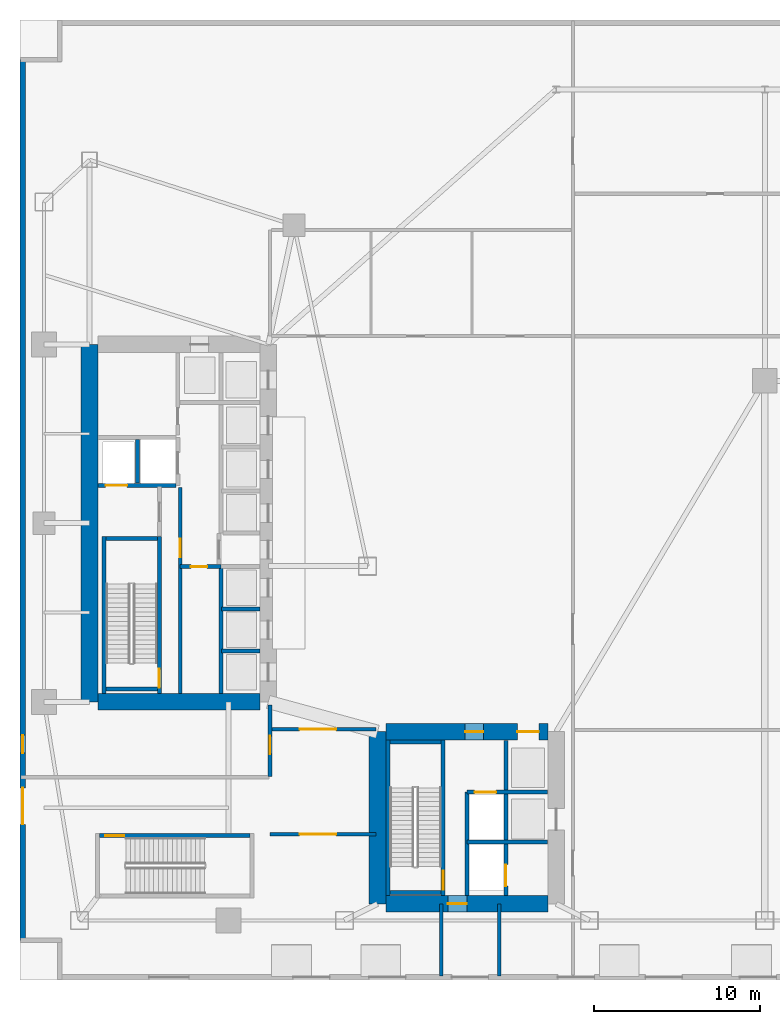
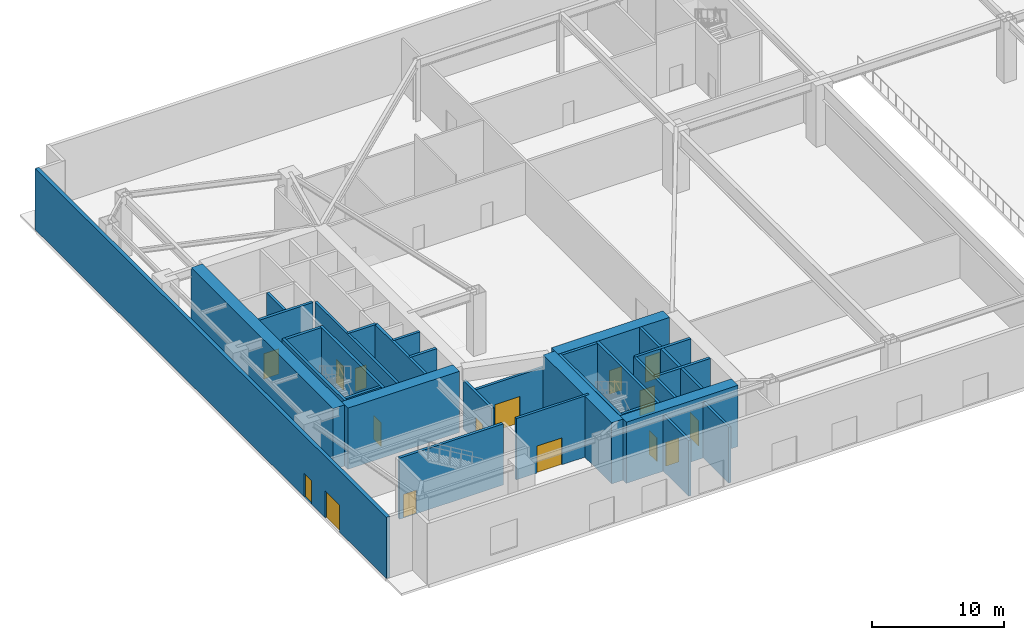
# One storey, part 12 of 20: 31 walls, 16 doors, 16 openings.
"""IFC4 building model written with IfcOpenShell, lengths in metres."""

from ifc_helpers import new_model, si_unit, direction, frame, frame_2d, origin, place, context, subcontext, project, spatial, rectangle, extrude, material, layer, layer_set, type_object, element, fill, save


model = new_model("IFC4")

# Units and contexts
model_context = context("Model", 3, precision=1e-05, world=origin(), true_north=direction((0.0, 1.0)))
body_context = subcontext(model_context, "Body", "Model", "MODEL_VIEW")
ifc_project = project(units=[si_unit("LENGTHUNIT", "METRE"), si_unit("AREAUNIT", "SQUARE_METRE"), si_unit("VOLUMEUNIT", "CUBIC_METRE"), si_unit("PLANEANGLEUNIT", "RADIAN"), si_unit("MASSUNIT", "GRAM", prefix="KILO")], contexts=[model_context])

# Site, building, storey
site_placement = place(None, origin())
site = spatial("IfcSite", under=ifc_project, at=site_placement, CompositionType="ELEMENT")
building_placement = place(site_placement, origin())
building = spatial("IfcBuilding", under=site, at=building_placement, Name="Calvorn Quay Hotel", CompositionType="ELEMENT")
storey_placement = place(building_placement, origin())
storey = spatial("IfcBuildingStorey", under=building, at=storey_placement, Name="L00", CompositionType="ELEMENT", Elevation=0.0)

# Walls
ifc_material_1 = material(Name="Concrete C60", Category="concrete")
ifc_layer_1 = layer(ifc_material_1, 1.0)
ifc_layer_set_1 = layer_set([ifc_layer_1], Name="WL-CORE-1000")
wall_type_1 = type_object("IfcWallType", Name="WL-CORE-1000", PredefinedType="SHEAR", material=ifc_layer_set_1)
wall_1_placement = place(storey_placement, frame((4.199951171875, 16.800048828125, 0.0), z_axis=(0.0, 0.0, 1.0), x_axis=(0.0, 1.0, 0.0)))
element("IfcWall", 1, at=wall_1_placement, inside=storey, type_object=wall_type_1, Name="West Core Shear Wall W (L00)", PredefinedType="SHEAR", context=body_context, shape_type="SweptSolid", body=[
    extrude(rectangle(XDim=21.599853515625, YDim=1.0, at=frame_2d((10.7998046875, 0.0))), origin(), (0.0, 0.0, 1.0), 5.679931640625),
])
wall_2_placement = place(storey_placement, frame((4.699951171875, 16.800048828125, 0.0), z_axis=(0.0, 0.0, 1.0), x_axis=(1.0, 0.0, 0.0)))
element("IfcWall", 2, at=wall_2_placement, inside=storey, type_object=wall_type_1, Name="West Core Shear Wall S (L00)", PredefinedType="SHEAR", context=body_context, shape_type="SweptSolid", body=[
    extrude(rectangle(XDim=9.800048828125, YDim=1.0, at=frame_2d((4.89990234375, 0.0))), origin(), (0.0, 0.0, 1.0), 5.679931640625),
])
wall_3_placement = place(storey_placement, frame((21.60009765625, 4.60009765625, 0.0), z_axis=(0.0, 0.0, 1.0), x_axis=(0.0, 1.0, 0.0)))
element("IfcWall", 3, at=wall_3_placement, inside=storey, type_object=wall_type_1, Name="East Core Shear Wall W (L00)", PredefinedType="SHEAR", context=body_context, shape_type="SweptSolid", body=[
    extrude(rectangle(XDim=10.39990234375, YDim=1.0, at=frame_2d((5.199951171875, 0.0))), origin(), (0.0, 0.0, 1.0), 5.679931640625),
])

# Wall, openings, doors
wall_4_placement = place(storey_placement, frame((22.10009765625, 15.0, 0.0), z_axis=(0.0, 0.0, 1.0), x_axis=(1.0, 0.0, 0.0)))
wall_4 = element("IfcWall", 4, at=wall_4_placement, inside=storey, type_object=wall_type_1, Name="East Core Shear Wall N (L00)", PredefinedType="SHEAR", context=body_context, shape_type="SweptSolid", body=[
    extrude(rectangle(XDim=9.7998046875, YDim=1.0, at=frame_2d((4.89990234375, 0.0))), origin(), (0.0, 0.0, 1.0), 5.679931640625),
])
opening_1_placement = place(wall_4_placement, frame((4.800048828125, 0.0, 0.0)))
opening_1 = element("IfcOpeningElement", 5, at=opening_1_placement, cuts=wall_4, Name="Opening D-L00-FLE", PredefinedType="OPENING", context=body_context, shape_type="SweptSolid", body=[
    extrude(rectangle(XDim=1.10009765625, YDim=2.199951171875, at=frame_2d((0.550048828125, 1.10009765625))), frame((0.0, 0.510009765625, 0.0), z_axis=(0.0, -1.0, 0.0), x_axis=(1.0, 0.0, 0.0)), (0.0, 0.0, 1.0), 1.02001953125),
])
opening_2_placement = place(wall_4_placement, frame((7.949951171875, 0.0, 0.0)))
opening_2 = element("IfcOpeningElement", 6, at=opening_2_placement, cuts=wall_4, Name="Opening LD-L00-OB1", PredefinedType="OPENING", context=body_context, shape_type="SweptSolid", body=[
    extrude(rectangle(XDim=1.300048828125, YDim=2.35009765625, at=frame_2d((0.64990234375, 1.175048828125))), frame((0.0, 0.510009765625, 0.0), z_axis=(0.0, -1.0, 0.0), x_axis=(1.0, 0.0, 0.0)), (0.0, 0.0, 1.0), 1.02001953125),
])
ifc_material_2 = material(Name="Smoke-Sealed Steel Class A Fire Door", Category="steel")
door_type_1 = type_object("IfcDoorType", Name="DR-FFLOBBY-1100", OperationType="NOTDEFINED", PredefinedType="DOOR", material=ifc_material_2)
door_1_placement = place(opening_1_placement, origin())
door_1 = element("IfcDoor", 7, at=door_1_placement, inside=storey, type_object=door_type_1, Name="East Firefighting Lobby Fire Door (L00)", OperationType="SINGLE_SWING_RIGHT", OverallHeight=2.199951171875, OverallWidth=1.10009765625, PredefinedType="DOOR", context=body_context, shape_type="SweptSolid", body=[
    extrude(rectangle(XDim=1.10009765625, YDim=2.199951171875, at=frame_2d((0.550048828125, 1.10009765625))), frame((0.0, 0.02490234375, 0.0), z_axis=(0.0, -1.0, 0.0), x_axis=(1.0, 0.0, 0.0)), (0.0, 0.0, 1.0), 0.050048828125),
])
fill(opening_1, door_1)
ifc_material_3 = material(Name="Champagne-Bronze Sliding Express Lift Landing Door")
door_type_2 = type_object("IfcDoorType", Name="DR-LIFT-SHUTTLE-1300", OperationType="NOTDEFINED", PredefinedType="DOOR", material=ifc_material_3)
door_2_placement = place(opening_2_placement, origin())
door_2 = element("IfcDoor", 8, at=door_2_placement, inside=storey, type_object=door_type_2, Name="Observation Shuttle PL-OB1 Landing Door (L00)", OperationType="DOUBLE_DOOR_SLIDING", OverallHeight=2.35009765625, OverallWidth=1.300048828125, PredefinedType="DOOR", context=body_context, shape_type="SweptSolid", body=[
    extrude(rectangle(XDim=1.300048828125, YDim=2.35009765625, at=frame_2d((0.64990234375, 1.175048828125))), frame((0.0, 0.02490234375, 0.0), z_axis=(0.0, -1.0, 0.0), x_axis=(1.0, 0.0, 0.0)), (0.0, 0.0, 1.0), 0.050048828125),
])
fill(opening_2, door_2)

# Wall, opening, door
wall_5_placement = place(storey_placement, frame((22.10009765625, 4.60009765625, 0.0), z_axis=(0.0, 0.0, 1.0), x_axis=(1.0, 0.0, 0.0)))
wall_5 = element("IfcWall", 9, at=wall_5_placement, inside=storey, type_object=wall_type_1, Name="East Core Shear Wall S (L00)", PredefinedType="SHEAR", context=body_context, shape_type="SweptSolid", body=[
    extrude(rectangle(XDim=9.7998046875, YDim=1.0, at=frame_2d((4.89990234375, 0.0))), origin(), (0.0, 0.0, 1.0), 5.679931640625),
])
opening_3_placement = place(wall_5_placement, frame((3.75, 0.0, 0.0)))
opening_3 = element("IfcOpeningElement", 10, at=opening_3_placement, cuts=wall_5, Name="Opening D-L00-STEX", PredefinedType="OPENING", context=body_context, shape_type="SweptSolid", body=[
    extrude(rectangle(XDim=1.14990234375, YDim=2.199951171875, at=frame_2d((0.574951171875, 1.10009765625))), frame((0.0, 0.510009765625, 0.0), z_axis=(0.0, -1.0, 0.0), x_axis=(1.0, 0.0, 0.0)), (0.0, 0.0, 1.0), 1.02001953125),
])
ifc_material_4 = material(Name="Galvanised Steel Class A Fire Door", Category="steel")
door_type_3 = type_object("IfcDoorType", Name="DR-STAIR-SMOKE-1150", OperationType="NOTDEFINED", PredefinedType="DOOR", material=ifc_material_4)
door_3_placement = place(opening_3_placement, origin())
door_3 = element("IfcDoor", 11, at=door_3_placement, inside=storey, type_object=door_type_3, Name="East Stair Ground Discharge Fire Door", OperationType="SINGLE_SWING_RIGHT", OverallHeight=2.199951171875, OverallWidth=1.14990234375, PredefinedType="DOOR", context=body_context, shape_type="SweptSolid", body=[
    extrude(rectangle(XDim=1.14990234375, YDim=2.199951171875, at=frame_2d((0.574951171875, 1.10009765625))), frame((0.0, 0.02490234375, 0.0), z_axis=(0.0, -1.0, 0.0), x_axis=(1.0, 0.0, 0.0)), (0.0, 0.0, 1.0), 0.050048828125),
])
fill(opening_3, door_3)

# Wall, openings, doors
ifc_material_5 = material(Name="Concrete C40", Category="concrete")
ifc_layer_2 = layer(ifc_material_5, 0.320068359375)
ifc_layer_set_2 = layer_set([ifc_layer_2], Name="WL-EXT-SPANDREL-320")
wall_type_2 = type_object("IfcWallType", Name="WL-EXT-SPANDREL-320", PredefinedType="SOLIDWALL", material=ifc_layer_set_2)
wall_6_placement = place(storey_placement, frame((0.159912109375, 2.300048828125, 0.0), z_axis=(0.0, 0.0, 1.0), x_axis=(0.0, 1.0, 0.0)))
wall_6 = element("IfcWall", 12, at=wall_6_placement, inside=storey, type_object=wall_type_2, Name="L00 West Fire-Lane Exterior Wall", PredefinedType="SOLIDWALL", context=body_context, shape_type="SweptSolid", body=[
    extrude(rectangle(XDim=53.39990234375, YDim=0.320068359375, at=frame_2d((26.699951171875, 0.0))), origin(), (0.0, 0.0, 1.0), 5.679931640625),
])
opening_4_placement = place(wall_6_placement, frame((7.10009765625, 0.0, 0.0)))
opening_4 = element("IfcOpeningElement", 13, at=opening_4_placement, cuts=wall_6, Name="Opening EX-05", PredefinedType="OPENING", context=body_context, shape_type="SweptSolid", body=[
    extrude(rectangle(XDim=2.199951171875, YDim=2.5, at=frame_2d((1.10009765625, 1.25))), frame((0.0, 0.169921875, 0.0), z_axis=(0.0, -1.0, 0.0), x_axis=(1.0, 0.0, 0.0)), (0.0, 0.0, 1.0), 0.340087890625),
])
opening_5_placement = place(wall_6_placement, frame((11.39990234375, 0.0, 0.0)))
opening_5 = element("IfcOpeningElement", 14, at=opening_5_placement, cuts=wall_6, Name="Opening EX-FCC", PredefinedType="OPENING", context=body_context, shape_type="SweptSolid", body=[
    extrude(rectangle(XDim=1.10009765625, YDim=2.199951171875, at=frame_2d((0.550048828125, 1.10009765625))), frame((0.0, 0.169921875, 0.0), z_axis=(0.0, -1.0, 0.0), x_axis=(1.0, 0.0, 0.0)), (0.0, 0.0, 1.0), 0.340087890625),
])
door_4_placement = place(opening_5_placement, origin())
door_4 = element("IfcDoor", 15, at=door_4_placement, inside=storey, type_object=door_type_1, Name="Fire Command Centre Direct Exterior Door", OperationType="SINGLE_SWING_LEFT", OverallHeight=2.199951171875, OverallWidth=1.10009765625, PredefinedType="DOOR", context=body_context, shape_type="SweptSolid", body=[
    extrude(rectangle(XDim=1.10009765625, YDim=2.199951171875, at=frame_2d((0.550048828125, 1.10009765625))), frame((0.0, 0.02490234375, 0.0), z_axis=(0.0, -1.0, 0.0), x_axis=(1.0, 0.0, 0.0)), (0.0, 0.0, 1.0), 0.050048828125),
])
fill(opening_5, door_4)
ifc_material_6 = material(Name="Thermally Broken Bronze-Anodised Aluminium Glazed Door", Category="aluminium")
door_type_4 = type_object("IfcDoorType", Name="DR-MAIN-EXIT-2200", OperationType="NOTDEFINED", PredefinedType="DOOR", material=ifc_material_6)
door_5_placement = place(opening_4_placement, origin())
door_5 = element("IfcDoor", 16, at=door_5_placement, inside=storey, type_object=door_type_4, Name="West Stair Final Exit Door EX-05", OperationType="DOUBLE_DOOR_SINGLE_SWING", OverallHeight=2.5, OverallWidth=2.199951171875, PredefinedType="DOOR", context=body_context, shape_type="SweptSolid", body=[
    extrude(rectangle(XDim=2.199951171875, YDim=2.5, at=frame_2d((1.10009765625, 1.25))), frame((0.0, 0.02490234375, 0.0), z_axis=(0.0, -1.0, 0.0), x_axis=(1.0, 0.0, 0.0)), (0.0, 0.0, 1.0), 0.050048828125),
])
fill(opening_4, door_5)

# Wall, opening, door
ifc_material_7 = material(Name="Autoclaved Aerated Masonry Block", Category="masonry")
ifc_layer_3 = layer(ifc_material_7, 0.219970703125)
ifc_layer_set_3 = layer_set([ifc_layer_3], Name="WL-LOBBY-FIRE-220")
wall_type_3 = type_object("IfcWallType", Name="WL-LOBBY-FIRE-220", PredefinedType="SOLIDWALL", material=ifc_layer_set_3)
wall_7_placement = place(storey_placement, frame((9.679931640625, 17.320068359375, 0.0), z_axis=(0.0, 0.0, 1.0), x_axis=(0.0, 1.0, 0.0)))
wall_7 = element("IfcWall", 17, at=wall_7_placement, inside=storey, type_object=wall_type_3, Name="Partition Wall L00-WL-CWW-STW-HALL-E", PredefinedType="SOLIDWALL", context=body_context, shape_type="SweptSolid", body=[
    extrude(rectangle(XDim=12.43994140625, YDim=0.219970703125, at=frame_2d((6.219970703125, 0.0))), origin(), (0.0, 0.0, 1.0), 5.679931640625),
])
opening_6_placement = place(wall_7_placement, frame((8.22998046875, 0.0, 0.0)))
opening_6 = element("IfcOpeningElement", 18, at=opening_6_placement, cuts=wall_7, Name="Opening D-L00-FLP", PredefinedType="OPENING", context=body_context, shape_type="SweptSolid", body=[
    extrude(rectangle(XDim=1.10009765625, YDim=2.199951171875, at=frame_2d((0.550048828125, 1.10009765625))), frame((0.0, 0.119873046875, 0.0), z_axis=(0.0, -1.0, 0.0), x_axis=(1.0, 0.0, 0.0)), (0.0, 0.0, 1.0), 0.239990234375),
])
door_6_placement = place(opening_6_placement, origin())
door_6 = element("IfcDoor", 19, at=door_6_placement, inside=storey, type_object=door_type_1, Name="West Core Stair Vestibule Fire Door", OperationType="SINGLE_SWING_RIGHT", OverallHeight=2.199951171875, OverallWidth=1.10009765625, PredefinedType="DOOR", context=body_context, shape_type="SweptSolid", body=[
    extrude(rectangle(XDim=1.10009765625, YDim=2.199951171875, at=frame_2d((0.550048828125, 1.10009765625))), frame((0.0, 0.02490234375, 0.0), z_axis=(0.0, -1.0, 0.0), x_axis=(1.0, 0.0, 0.0)), (0.0, 0.0, 1.0), 0.050048828125),
])
fill(opening_6, door_6)

wall_8_placement = place(storey_placement, frame((15.10009765625, 15.14990234375, 0.0), z_axis=(0.0, 0.0, 1.0), x_axis=(1.0, 0.0, 0.0)))
wall_8 = element("IfcWall", 20, at=wall_8_placement, inside=storey, type_object=wall_type_3, Name="Partition Wall L00-WL-L00-SF-N", PredefinedType="SOLIDWALL", context=body_context, shape_type="SweptSolid", body=[
    extrude(rectangle(XDim=6.39990234375, YDim=0.219970703125, at=frame_2d((3.199951171875, 0.0))), origin(), (0.0, 0.0, 1.0), 4.47998046875),
])
opening_7_placement = place(wall_8_placement, frame((1.800048828125, 0.0, 0.0)))
opening_7 = element("IfcOpeningElement", 21, at=opening_7_placement, cuts=wall_8, Name="Opening D-L00-SX1", PredefinedType="OPENING", context=body_context, shape_type="SweptSolid", body=[
    extrude(rectangle(XDim=2.199951171875, YDim=2.5, at=frame_2d((1.10009765625, 1.25))), frame((0.0, 0.119873046875, 0.0), z_axis=(0.0, -1.0, 0.0), x_axis=(1.0, 0.0, 0.0)), (0.0, 0.0, 1.0), 0.239990234375),
])
door_7_placement = place(opening_7_placement, origin())
door_7 = element("IfcDoor", 22, at=door_7_placement, inside=storey, type_object=door_type_4, Name="South Exit Vestibule Fire Door 1", OperationType="DOUBLE_DOOR_SINGLE_SWING", OverallHeight=2.5, OverallWidth=2.199951171875, PredefinedType="DOOR", context=body_context, shape_type="SweptSolid", body=[
    extrude(rectangle(XDim=2.199951171875, YDim=2.5, at=frame_2d((1.10009765625, 1.25))), frame((0.0, 0.02490234375, 0.0), z_axis=(0.0, -1.0, 0.0), x_axis=(1.0, 0.0, 0.0)), (0.0, 0.0, 1.0), 0.050048828125),
])
fill(opening_7, door_7)

wall_9_placement = place(storey_placement, frame((15.10009765625, 8.800048828125, 0.0), z_axis=(0.0, 0.0, 1.0), x_axis=(1.0, 0.0, 0.0)))
wall_9 = element("IfcWall", 23, at=wall_9_placement, inside=storey, type_object=wall_type_3, Name="Partition Wall L00-WL-L00-SF-M", PredefinedType="SOLIDWALL", context=body_context, shape_type="SweptSolid", body=[
    extrude(rectangle(XDim=6.39990234375, YDim=0.219970703125, at=frame_2d((3.199951171875, 0.0))), origin(), (0.0, 0.0, 1.0), 5.679931640625),
])
opening_8_placement = place(wall_9_placement, frame((1.800048828125, 0.0, 0.0)))
opening_8 = element("IfcOpeningElement", 24, at=opening_8_placement, cuts=wall_9, Name="Opening D-L00-SX2", PredefinedType="OPENING", context=body_context, shape_type="SweptSolid", body=[
    extrude(rectangle(XDim=2.199951171875, YDim=2.5, at=frame_2d((1.10009765625, 1.25))), frame((0.0, 0.119873046875, 0.0), z_axis=(0.0, -1.0, 0.0), x_axis=(1.0, 0.0, 0.0)), (0.0, 0.0, 1.0), 0.239990234375),
])
door_8_placement = place(opening_8_placement, origin())
door_8 = element("IfcDoor", 25, at=door_8_placement, inside=storey, type_object=door_type_4, Name="South Waterfront Exit Vestibule Fire Door", OperationType="DOUBLE_DOOR_SINGLE_SWING", OverallHeight=2.5, OverallWidth=2.199951171875, PredefinedType="DOOR", context=body_context, shape_type="SweptSolid", body=[
    extrude(rectangle(XDim=2.199951171875, YDim=2.5, at=frame_2d((1.10009765625, 1.25))), frame((0.0, 0.02490234375, 0.0), z_axis=(0.0, -1.0, 0.0), x_axis=(1.0, 0.0, 0.0)), (0.0, 0.0, 1.0), 0.050048828125),
])
fill(opening_8, door_8)

# Walls
for number, where, z_axis, x_axis, name in (
    (26, (25.449951171875, 0.25, 0.0), (0.0, 0.0, 1.0), (0.0, 1.0, 0.0), "Partition Wall L00-WL-L00-STE-PW"),
    (27, (28.949951171875, 0.25, 0.0), (0.0, 0.0, 1.0), (0.0, 1.0, 0.0), "Partition Wall L00-WL-L00-STE-PE"),
):
    element("IfcWall", number, at=place(storey_placement, frame(where, z_axis=z_axis, x_axis=x_axis)), inside=storey, type_object=wall_type_3, Name=name, PredefinedType="SOLIDWALL", context=body_context, shape_type="SweptSolid", body=[
        extrude(rectangle(XDim=4.35009765625, YDim=0.219970703125, at=frame_2d((2.175048828125, 0.0))), origin(), (0.0, 0.0, 1.0), 5.179931640625),
    ])

# Wall, opening, door
wall_10_placement = place(storey_placement, frame((15.10009765625, 12.300048828125, 0.0), z_axis=(0.0, 0.0, 1.0), x_axis=(0.0, 1.0, 0.0)))
wall_10 = element("IfcWall", 28, at=wall_10_placement, inside=storey, type_object=wall_type_3, Name="Partition Wall L00-WL-L00-FCC-E", PredefinedType="SOLIDWALL", context=body_context, shape_type="SweptSolid", body=[
    extrude(rectangle(XDim=4.300048828125, YDim=0.219970703125, at=frame_2d((2.14990234375, 0.0))), origin(), (0.0, 0.0, 1.0), 4.47998046875),
])
opening_9_placement = place(wall_10_placement, frame((1.35009765625, 0.0, 0.0)))
opening_9 = element("IfcOpeningElement", 29, at=opening_9_placement, cuts=wall_10, Name="Opening D-L00-FCC", PredefinedType="OPENING", context=body_context, shape_type="SweptSolid", body=[
    extrude(rectangle(XDim=1.10009765625, YDim=2.199951171875, at=frame_2d((0.550048828125, 1.10009765625))), frame((0.0, 0.119873046875, 0.0), z_axis=(0.0, -1.0, 0.0), x_axis=(1.0, 0.0, 0.0)), (0.0, 0.0, 1.0), 0.239990234375),
])
door_9_placement = place(opening_9_placement, origin())
door_9 = element("IfcDoor", 30, at=door_9_placement, inside=storey, type_object=door_type_1, Name="Fire Command Centre Door", OperationType="SINGLE_SWING_LEFT", OverallHeight=2.199951171875, OverallWidth=1.10009765625, PredefinedType="DOOR", context=body_context, shape_type="SweptSolid", body=[
    extrude(rectangle(XDim=1.10009765625, YDim=2.199951171875, at=frame_2d((0.550048828125, 1.10009765625))), frame((0.0, 0.02490234375, 0.0), z_axis=(0.0, -1.0, 0.0), x_axis=(1.0, 0.0, 0.0)), (0.0, 0.0, 1.0), 0.050048828125),
])
fill(opening_9, door_9)

# Wall
ifc_material_8 = material(Name="Concrete C40", Category="concrete")
ifc_layer_4 = layer(ifc_material_8, 0.239990234375)
ifc_layer_set_4 = layer_set([ifc_layer_4], Name="WL-SHAFT-240")
wall_type_4 = type_object("IfcWallType", Name="WL-SHAFT-240", PredefinedType="SOLIDWALL", material=ifc_layer_set_4)
wall_11_placement = place(storey_placement, frame((5.080078125, 17.300048828125, 0.0), z_axis=(0.0, 0.0, 1.0), x_axis=(0.0, 1.0, 0.0)))
element("IfcWall", 31, at=wall_11_placement, inside=storey, type_object=wall_type_4, Name="Stair STW Shaft Wall W (L00)", PredefinedType="SOLIDWALL", context=body_context, shape_type="SweptSolid", body=[
    extrude(rectangle(XDim=9.489990234375, YDim=0.239990234375, at=frame_2d((4.7451171875, 0.0))), origin(), (0.0, 0.0, 1.0), 5.679931640625),
])

# Wall, opening, door
wall_12_placement = place(storey_placement, frame((8.419921875, 17.300048828125, 0.0), z_axis=(0.0, 0.0, 1.0), x_axis=(0.0, 1.0, 0.0)))
wall_12 = element("IfcWall", 32, at=wall_12_placement, inside=storey, type_object=wall_type_4, Name="Stair STW Shaft Wall E (L00)", PredefinedType="SOLIDWALL", context=body_context, shape_type="SweptSolid", body=[
    extrude(rectangle(XDim=9.489990234375, YDim=0.239990234375, at=frame_2d((4.7451171875, 0.0))), origin(), (0.0, 0.0, 1.0), 5.679931640625),
])
opening_10_placement = place(wall_12_placement, frame((0.35009765625, 0.0, 0.0)))
opening_10 = element("IfcOpeningElement", 33, at=opening_10_placement, cuts=wall_12, Name="Opening D-L00-STW", PredefinedType="OPENING", context=body_context, shape_type="SweptSolid", body=[
    extrude(rectangle(XDim=1.14990234375, YDim=2.199951171875, at=frame_2d((0.574951171875, 1.10009765625))), frame((0.0, 0.1298828125, 0.0), z_axis=(0.0, -1.0, 0.0), x_axis=(1.0, 0.0, 0.0)), (0.0, 0.0, 1.0), 0.260009765625),
])
door_10_placement = place(opening_10_placement, origin())
door_10 = element("IfcDoor", 34, at=door_10_placement, inside=storey, type_object=door_type_3, Name="Stair ST-W Fire Door (L00)", OperationType="SINGLE_SWING_LEFT", OverallHeight=2.199951171875, OverallWidth=1.14990234375, PredefinedType="DOOR", context=body_context, shape_type="SweptSolid", body=[
    extrude(rectangle(XDim=1.14990234375, YDim=2.199951171875, at=frame_2d((0.574951171875, 1.10009765625))), frame((0.0, 0.02490234375, 0.0), z_axis=(0.0, -1.0, 0.0), x_axis=(1.0, 0.0, 0.0)), (0.0, 0.0, 1.0), 0.050048828125),
])
fill(opening_10, door_10)

# Walls
for number, where, z_axis, x_axis, name in (
    (35, (5.199951171875, 17.580078125, 0.0), (0.0, 0.0, 1.0), (1.0, 0.0, 0.0), "Stair STW Shaft Wall S (L00)"),
    (36, (5.199951171875, 26.669921875, 0.0), (0.0, 0.0, 1.0), (1.0, 0.0, 0.0), "Stair STW Shaft Wall N (L00)"),
):
    element("IfcWall", number, at=place(storey_placement, frame(where, z_axis=z_axis, x_axis=x_axis)), inside=storey, type_object=wall_type_4, Name=name, PredefinedType="SOLIDWALL", context=body_context, shape_type="SweptSolid", body=[
        extrude(rectangle(XDim=3.10009765625, YDim=0.239990234375, at=frame_2d((1.550048828125, 0.0))), origin(), (0.0, 0.0, 1.0), 5.679931640625),
    ])
wall_13_placement = place(storey_placement, frame((22.22998046875, 5.10009765625, 0.0), z_axis=(0.0, 0.0, 1.0), x_axis=(0.0, 1.0, 0.0)))
element("IfcWall", 37, at=wall_13_placement, inside=storey, type_object=wall_type_4, Name="Stair STE Shaft Wall W (L00)", PredefinedType="SOLIDWALL", context=body_context, shape_type="SweptSolid", body=[
    extrude(rectangle(XDim=9.389892578125, YDim=0.239990234375, at=frame_2d((4.69482421875, 0.0))), origin(), (0.0, 0.0, 1.0), 5.679931640625),
])

# Wall, opening, door
wall_14_placement = place(storey_placement, frame((25.570068359375, 5.10009765625, 0.0), z_axis=(0.0, 0.0, 1.0), x_axis=(0.0, 1.0, 0.0)))
wall_14 = element("IfcWall", 38, at=wall_14_placement, inside=storey, type_object=wall_type_4, Name="Stair STE Shaft Wall E (L00)", PredefinedType="SOLIDWALL", context=body_context, shape_type="SweptSolid", body=[
    extrude(rectangle(XDim=9.389892578125, YDim=0.239990234375, at=frame_2d((4.69482421875, 0.0))), origin(), (0.0, 0.0, 1.0), 5.679931640625),
])
opening_11_placement = place(wall_14_placement, frame((0.35009765625, 0.0, 0.0)))
opening_11 = element("IfcOpeningElement", 39, at=opening_11_placement, cuts=wall_14, Name="Opening D-L00-STE", PredefinedType="OPENING", context=body_context, shape_type="SweptSolid", body=[
    extrude(rectangle(XDim=1.14990234375, YDim=2.199951171875, at=frame_2d((0.574951171875, 1.10009765625))), frame((0.0, 0.1298828125, 0.0), z_axis=(0.0, -1.0, 0.0), x_axis=(1.0, 0.0, 0.0)), (0.0, 0.0, 1.0), 0.260009765625),
])
door_11_placement = place(opening_11_placement, origin())
door_11 = element("IfcDoor", 40, at=door_11_placement, inside=storey, type_object=door_type_3, Name="Stair ST-E Fire Door (L00)", OperationType="SINGLE_SWING_RIGHT", OverallHeight=2.199951171875, OverallWidth=1.14990234375, PredefinedType="DOOR", context=body_context, shape_type="SweptSolid", body=[
    extrude(rectangle(XDim=1.14990234375, YDim=2.199951171875, at=frame_2d((0.574951171875, 1.10009765625))), frame((0.0, 0.02490234375, 0.0), z_axis=(0.0, -1.0, 0.0), x_axis=(1.0, 0.0, 0.0)), (0.0, 0.0, 1.0), 0.050048828125),
])
fill(opening_11, door_11)

# Walls
for number, where, z_axis, x_axis, name in (
    (41, (22.35009765625, 5.280029296875, 0.0), (0.0, 0.0, 1.0), (1.0, 0.0, 0.0), "Stair STE Shaft Wall S (L00)"),
    (42, (22.35009765625, 14.3701171875, 0.0), (0.0, 0.0, 1.0), (1.0, 0.0, 0.0), "Stair STE Shaft Wall N (L00)"),
):
    element("IfcWall", number, at=place(storey_placement, frame(where, z_axis=z_axis, x_axis=x_axis)), inside=storey, type_object=wall_type_4, Name=name, PredefinedType="SOLIDWALL", context=body_context, shape_type="SweptSolid", body=[
        extrude(rectangle(XDim=3.099853515625, YDim=0.239990234375, at=frame_2d((1.5498046875, 0.0))), origin(), (0.0, 0.0, 1.0), 5.679931640625),
    ])

# Wall, opening, door
wall_15_placement = place(storey_placement, frame((4.800048828125, 8.719970703125, 0.0), z_axis=(0.0, 0.0, 1.0), x_axis=(1.0, 0.0, 0.0)))
wall_15 = element("IfcWall", 43, at=wall_15_placement, inside=storey, type_object=wall_type_4, Name="Stair STP2 Shaft Wall N (L00)", PredefinedType="SOLIDWALL", context=body_context, shape_type="SweptSolid", body=[
    extrude(rectangle(XDim=9.099853515625, YDim=0.239990234375, at=frame_2d((4.5498046875, 0.0))), origin(), (0.0, 0.0, 1.0), 5.679931640625),
])
opening_12_placement = place(wall_15_placement, frame((0.35009765625, 0.0, 0.0)))
opening_12 = element("IfcOpeningElement", 44, at=opening_12_placement, cuts=wall_15, Name="Opening D-L00-STP2", PredefinedType="OPENING", context=body_context, shape_type="SweptSolid", body=[
    extrude(rectangle(XDim=1.14990234375, YDim=2.199951171875, at=frame_2d((0.574951171875, 1.10009765625))), frame((0.0, 0.1298828125, 0.0), z_axis=(0.0, -1.0, 0.0), x_axis=(1.0, 0.0, 0.0)), (0.0, 0.0, 1.0), 0.260009765625),
])
door_12_placement = place(opening_12_placement, origin())
door_12 = element("IfcDoor", 45, at=door_12_placement, inside=storey, type_object=door_type_3, Name="Podium Stair ST-P2 Fire Door (L00)", OperationType="SINGLE_SWING_RIGHT", OverallHeight=2.199951171875, OverallWidth=1.14990234375, PredefinedType="DOOR", context=body_context, shape_type="SweptSolid", body=[
    extrude(rectangle(XDim=1.14990234375, YDim=2.199951171875, at=frame_2d((0.574951171875, 1.10009765625))), frame((0.0, 0.02490234375, 0.0), z_axis=(0.0, -1.0, 0.0), x_axis=(1.0, 0.0, 0.0)), (0.0, 0.0, 1.0), 0.050048828125),
])
fill(opening_12, door_12)

# Walls
for number, where, z_axis, x_axis, name in (
    (46, (12.179931640625, 19.875, 0.0), (0.0, 0.0, 1.0), (1.0, 0.0, 0.0), "Lift Hoistway Divider Wall PLL12 (L00)"),
    (47, (12.179931640625, 22.425048828125, 0.0), (0.0, 0.0, 1.0), (1.0, 0.0, 0.0), "Lift Hoistway Divider Wall PLL23 (L00)"),
):
    element("IfcWall", number, at=place(storey_placement, frame(where, z_axis=z_axis, x_axis=x_axis)), inside=storey, type_object=wall_type_4, Name=name, PredefinedType="SOLIDWALL", context=body_context, shape_type="SweptSolid", body=[
        extrude(rectangle(XDim=2.320068359375, YDim=0.239990234375, at=frame_2d((1.16015625, 0.0))), origin(), (0.0, 0.0, 1.0), 5.679931640625),
    ])

# Wall, opening, door
wall_16_placement = place(storey_placement, frame((4.719970703125, 29.8798828125, 0.0), z_axis=(0.0, 0.0, 1.0), x_axis=(1.0, 0.0, 0.0)))
wall_16 = element("IfcWall", 48, at=wall_16_placement, inside=storey, type_object=wall_type_4, Name="Partition Wall L00-WL-CWW-FLW-S", PredefinedType="SOLIDWALL", context=body_context, shape_type="SweptSolid", body=[
    extrude(rectangle(XDim=4.699951171875, YDim=0.239990234375, at=frame_2d((2.35009765625, 0.0))), origin(), (0.0, 0.0, 1.0), 5.679931640625),
])
opening_13_placement = place(wall_16_placement, frame((0.449951171875, 0.0, 0.0)))
opening_13 = element("IfcOpeningElement", 49, at=opening_13_placement, cuts=wall_16, Name="Opening LD-L00-FLW1", PredefinedType="OPENING", context=body_context, shape_type="SweptSolid", body=[
    extrude(rectangle(XDim=1.300048828125, YDim=2.35009765625, at=frame_2d((0.64990234375, 1.175048828125))), frame((0.0, 0.1298828125, 0.0), z_axis=(0.0, -1.0, 0.0), x_axis=(1.0, 0.0, 0.0)), (0.0, 0.0, 1.0), 0.260009765625),
])
door_13_placement = place(opening_13_placement, origin())
door_13 = element("IfcDoor", 50, at=door_13_placement, inside=storey, type_object=door_type_2, Name="Firefighting Lift FL-W1 Landing Door (L00)", OperationType="DOUBLE_DOOR_SLIDING", OverallHeight=2.35009765625, OverallWidth=1.300048828125, PredefinedType="DOOR", context=body_context, shape_type="SweptSolid", body=[
    extrude(rectangle(XDim=1.300048828125, YDim=2.35009765625, at=frame_2d((0.64990234375, 1.175048828125))), frame((0.0, 0.02490234375, 0.0), z_axis=(0.0, -1.0, 0.0), x_axis=(1.0, 0.0, 0.0)), (0.0, 0.0, 1.0), 0.050048828125),
])
fill(opening_13, door_13)

# Walls
wall_17_placement = place(storey_placement, frame((7.10009765625, 30.02001953125, 0.0), z_axis=(0.0, 0.0, 1.0), x_axis=(0.0, 1.0, 0.0)))
element("IfcWall", 51, at=wall_17_placement, inside=storey, type_object=wall_type_4, Name="Partition Wall L00-WL-CWW-FLW-DIV", PredefinedType="SOLIDWALL", context=body_context, shape_type="SweptSolid", body=[
    extrude(rectangle(XDim=2.6298828125, YDim=0.239990234375, at=frame_2d((1.31494140625, 0.0))), origin(), (0.0, 0.0, 1.0), 5.679931640625),
])
wall_18_placement = place(storey_placement, frame((12.14990234375, 17.320068359375, 0.0), z_axis=(0.0, 0.0, 1.0), x_axis=(0.0, 1.0, 0.0)))
element("IfcWall", 52, at=wall_18_placement, inside=storey, type_object=wall_type_4, Name="Partition Wall L00-WL-CWW-PLL-W", PredefinedType="SOLIDWALL", context=body_context, shape_type="SweptSolid", body=[
    extrude(rectangle(XDim=7.64990234375, YDim=0.239990234375, at=frame_2d((3.824951171875, 0.0))), origin(), (0.0, 0.0, 1.0), 5.679931640625),
])

# Wall, opening, door
wall_19_placement = place(storey_placement, frame((9.679931640625, 24.969970703125, 0.0), z_axis=(0.0, 0.0, 1.0), x_axis=(1.0, 0.0, 0.0)))
wall_19 = element("IfcWall", 53, at=wall_19_placement, inside=storey, type_object=wall_type_4, Name="Partition Wall L00-WL-CWW-SER-N", PredefinedType="SOLIDWALL", context=body_context, shape_type="SweptSolid", body=[
    extrude(rectangle(XDim=2.469970703125, YDim=0.239990234375, at=frame_2d((1.23486328125, 0.0))), origin(), (0.0, 0.0, 1.0), 5.679931640625),
])
opening_14_placement = place(wall_19_placement, frame((0.64990234375, 0.0, 0.0)))
opening_14 = element("IfcOpeningElement", 54, at=opening_14_placement, cuts=wall_19, Name="Opening D-L00-CSR", PredefinedType="OPENING", context=body_context, shape_type="SweptSolid", body=[
    extrude(rectangle(XDim=0.97998046875, YDim=2.14990234375, at=frame_2d((0.489990234375, 1.074951171875))), frame((0.0, 0.1298828125, 0.0), z_axis=(0.0, -1.0, 0.0), x_axis=(1.0, 0.0, 0.0)), (0.0, 0.0, 1.0), 0.260009765625),
])
ifc_material_9 = material(Name="Painted Steel Housekeeping/Riser Fire Door", Category="steel")
door_type_5 = type_object("IfcDoorType", Name="DR-SERVICE-980", OperationType="NOTDEFINED", PredefinedType="DOOR", material=ifc_material_9)
door_14_placement = place(opening_14_placement, origin())
door_14 = element("IfcDoor", 55, at=door_14_placement, inside=storey, type_object=door_type_5, Name="Core Service Closet Door (L00)", OperationType="SINGLE_SWING_LEFT", OverallHeight=2.14990234375, OverallWidth=0.97998046875, PredefinedType="DOOR", context=body_context, shape_type="SweptSolid", body=[
    extrude(rectangle(XDim=0.97998046875, YDim=2.14990234375, at=frame_2d((0.489990234375, 1.074951171875))), frame((0.0, 0.02490234375, 0.0), z_axis=(0.0, -1.0, 0.0), x_axis=(1.0, 0.0, 0.0)), (0.0, 0.0, 1.0), 0.050048828125),
])
fill(opening_14, door_14)

# Wall
wall_20_placement = place(storey_placement, frame((27.02001953125, 5.1201171875, 0.0), z_axis=(0.0, 0.0, 1.0), x_axis=(0.0, 1.0, 0.0)))
element("IfcWall", 56, at=wall_20_placement, inside=storey, type_object=wall_type_4, Name="Partition Wall L00-WL-CWE-SH-W", PredefinedType="SOLIDWALL", context=body_context, shape_type="SweptSolid", body=[
    extrude(rectangle(XDim=6.22998046875, YDim=0.239990234375, at=frame_2d((3.114990234375, 0.0))), origin(), (0.0, 0.0, 1.0), 5.679931640625),
])

# Wall, opening, door
wall_21_placement = place(storey_placement, frame((27.02001953125, 11.35009765625, 0.0), z_axis=(0.0, 0.0, 1.0), x_axis=(1.0, 0.0, 0.0)))
wall_21 = element("IfcWall", 57, at=wall_21_placement, inside=storey, type_object=wall_type_4, Name="Partition Wall L00-WL-CWE-FFL-S", PredefinedType="SOLIDWALL", context=body_context, shape_type="SweptSolid", body=[
    extrude(rectangle(XDim=4.85986328125, YDim=0.239990234375, at=frame_2d((2.429931640625, 0.0))), origin(), (0.0, 0.0, 1.0), 5.679931640625),
])
opening_15_placement = place(wall_21_placement, frame((0.449951171875, 0.0, 0.0)))
opening_15 = element("IfcOpeningElement", 58, at=opening_15_placement, cuts=wall_21, Name="Opening LD-L00-FLE1", PredefinedType="OPENING", context=body_context, shape_type="SweptSolid", body=[
    extrude(rectangle(XDim=1.300048828125, YDim=2.35009765625, at=frame_2d((0.64990234375, 1.175048828125))), frame((0.0, 0.1298828125, 0.0), z_axis=(0.0, -1.0, 0.0), x_axis=(1.0, 0.0, 0.0)), (0.0, 0.0, 1.0), 0.260009765625),
])
door_15_placement = place(opening_15_placement, origin())
door_15 = element("IfcDoor", 59, at=door_15_placement, inside=storey, type_object=door_type_2, Name="Firefighting Lift FL-E1 Landing Door (L00)", OperationType="DOUBLE_DOOR_SLIDING", OverallHeight=2.35009765625, OverallWidth=1.300048828125, PredefinedType="DOOR", context=body_context, shape_type="SweptSolid", body=[
    extrude(rectangle(XDim=1.300048828125, YDim=2.35009765625, at=frame_2d((0.64990234375, 1.175048828125))), frame((0.0, 0.02490234375, 0.0), z_axis=(0.0, -1.0, 0.0), x_axis=(1.0, 0.0, 0.0)), (0.0, 0.0, 1.0), 0.050048828125),
])
fill(opening_15, door_15)

# Wall
wall_22_placement = place(storey_placement, frame((27.02001953125, 8.35009765625, 0.0), z_axis=(0.0, 0.0, 1.0), x_axis=(1.0, 0.0, 0.0)))
element("IfcWall", 60, at=wall_22_placement, inside=storey, type_object=wall_type_4, Name="Partition Wall L00-WL-CWE-SL-N", PredefinedType="SOLIDWALL", context=body_context, shape_type="SweptSolid", body=[
    extrude(rectangle(XDim=4.85986328125, YDim=0.239990234375, at=frame_2d((2.429931640625, 0.0))), origin(), (0.0, 0.0, 1.0), 5.679931640625),
])

# Wall, opening, door
wall_23_placement = place(storey_placement, frame((29.35009765625, 5.1201171875, 0.0), z_axis=(0.0, 0.0, 1.0), x_axis=(0.0, 1.0, 0.0)))
wall_23 = element("IfcWall", 61, at=wall_23_placement, inside=storey, type_object=wall_type_4, Name="Partition Wall L00-WL-CWE-OB-W", PredefinedType="SOLIDWALL", context=body_context, shape_type="SweptSolid", body=[
    extrude(rectangle(XDim=9.35986328125, YDim=0.239990234375, at=frame_2d((4.679931640625, 0.0))), origin(), (0.0, 0.0, 1.0), 5.679931640625),
])
opening_16_placement = place(wall_23_placement, frame((0.550048828125, 0.0, 0.0)))
opening_16 = element("IfcOpeningElement", 62, at=opening_16_placement, cuts=wall_23, Name="Opening LD-L00-SLEI", PredefinedType="OPENING", context=body_context, shape_type="SweptSolid", body=[
    extrude(rectangle(XDim=1.300048828125, YDim=2.35009765625, at=frame_2d((0.64990234375, 1.175048828125))), frame((0.0, 0.1298828125, 0.0), z_axis=(0.0, -1.0, 0.0), x_axis=(1.0, 0.0, 0.0)), (0.0, 0.0, 1.0), 0.260009765625),
])
door_16_placement = place(opening_16_placement, origin())
door_16 = element("IfcDoor", 63, at=door_16_placement, inside=storey, type_object=door_type_2, Name="Service Lift SL-E1 Landing Door (L00)", OperationType="DOUBLE_DOOR_SLIDING", OverallHeight=2.35009765625, OverallWidth=1.300048828125, PredefinedType="DOOR", context=body_context, shape_type="SweptSolid", body=[
    extrude(rectangle(XDim=1.300048828125, YDim=2.35009765625, at=frame_2d((0.64990234375, 1.175048828125))), frame((0.0, 0.02490234375, 0.0), z_axis=(0.0, -1.0, 0.0), x_axis=(1.0, 0.0, 0.0)), (0.0, 0.0, 1.0), 0.050048828125),
])
fill(opening_16, door_16)

save(model, "model.ifc")
